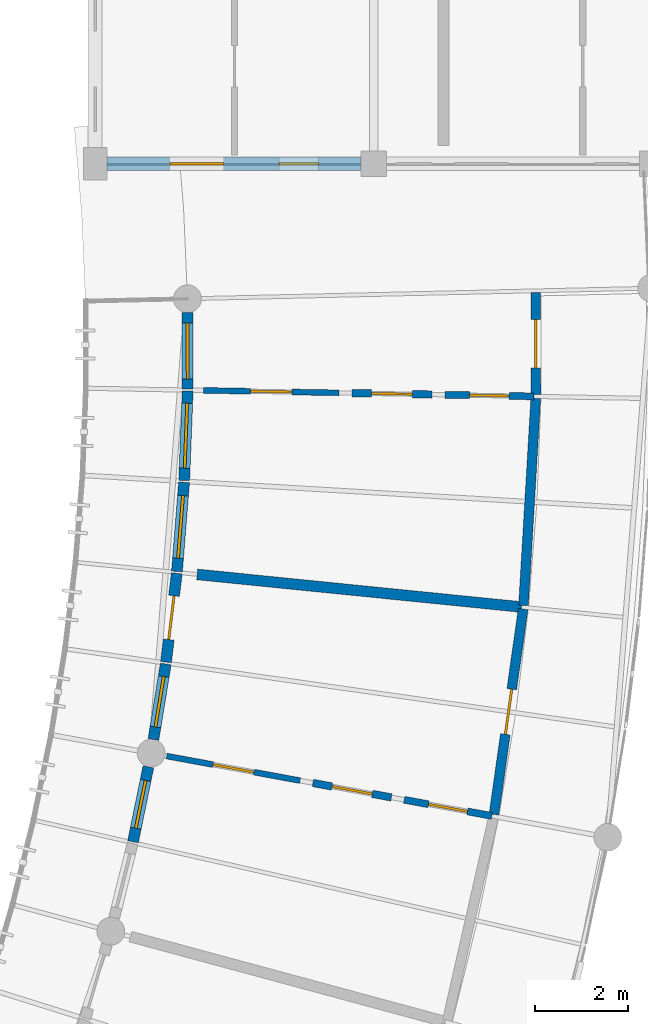
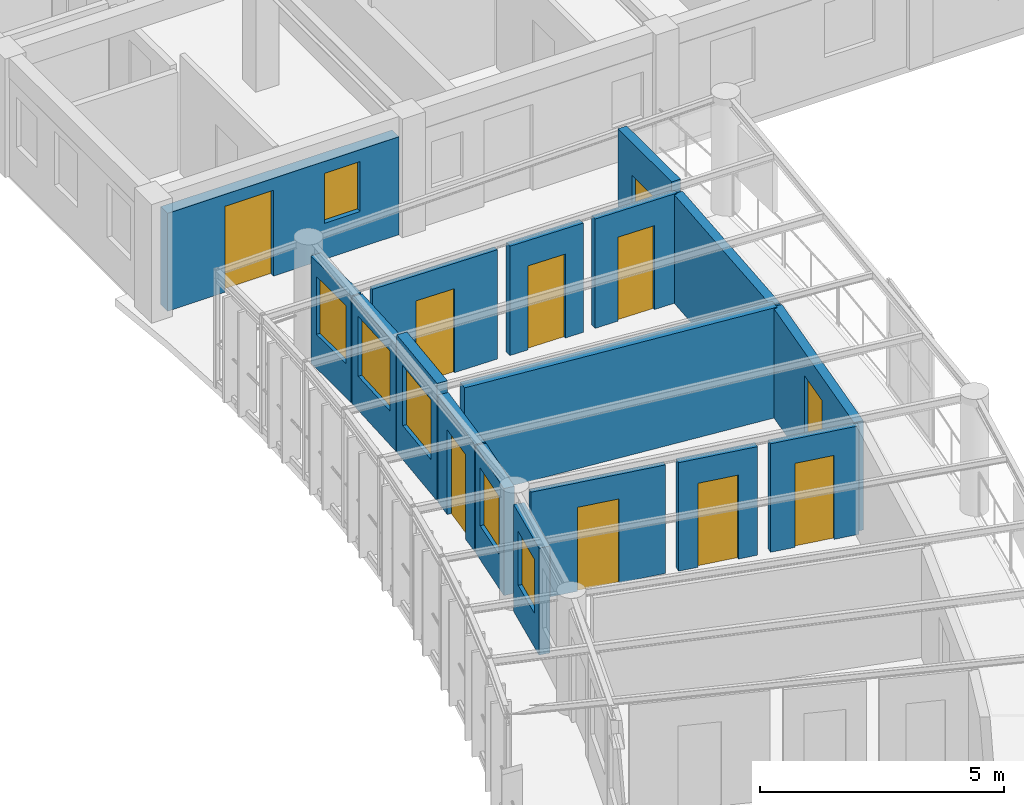
# One storey, part 67 of 101: 17 walls, 10 doors, 6 windows, 16 openings.
"""IFC4 building model written with IfcOpenShell, lengths in metres."""

from ifc_helpers import new_model, si_unit, direction, frame, frame_2d, origin, place, context, subcontext, project, spatial, rectangle, extrude, material, layer, layer_set, type_object, element, fill, save


model = new_model("IFC4")

# Units and contexts
model_context = context("Model", 3, precision=1e-05, world=origin(), true_north=direction((0.0, 1.0)))
body_context = subcontext(model_context, "Body", "Model", "MODEL_VIEW")
ifc_project = project(units=[si_unit("LENGTHUNIT", "METRE"), si_unit("AREAUNIT", "SQUARE_METRE"), si_unit("VOLUMEUNIT", "CUBIC_METRE"), si_unit("PLANEANGLEUNIT", "RADIAN"), si_unit("MASSUNIT", "GRAM", prefix="KILO"), si_unit("POWERUNIT", "WATT"), si_unit("THERMODYNAMICTEMPERATUREUNIT", "KELVIN")], contexts=[model_context])

# Site, building, storey
site_placement = place(None, origin())
site = spatial("IfcSite", under=ifc_project, at=site_placement, CompositionType="ELEMENT")
building_placement = place(site_placement, origin())
building = spatial("IfcBuilding", under=site, at=building_placement, Name="Ruvembo Vaulted Housing Court", CompositionType="ELEMENT")
storey_placement = place(building_placement, frame((0.0, 0.0, 17.300048828125)))
storey = spatial("IfcBuildingStorey", under=building, at=storey_placement, Name="L05", CompositionType="ELEMENT", Elevation=17.300048828125)

# Wall, opening, door
ifc_material_1 = material(Name="Concrete Blockwork 210", Category="masonry")
ifc_layer_1 = layer(ifc_material_1, 0.2099609375, Name="Concrete Blockwork 210")
ifc_layer_set_1 = layer_set([ifc_layer_1], Name="Concrete Blockwork 210")
wall_type_1 = type_object("IfcWallType", Name="WL-CORR-210", PredefinedType="SOLIDWALL", material=ifc_layer_set_1)
wall_1_placement = place(storey_placement, frame((56.587646484375, 63.98779296875, 0.0), z_axis=(0.0, 0.0, 1.0), x_axis=(0.140732688284, 0.990047630394, 0.0)))
wall_1 = element("IfcWall", 1, at=wall_1_placement, inside=storey, type_object=wall_type_1, Name="L05 Suite SC1-L05-U4 Entrance WL-INT-L05-01597", PredefinedType="SOLIDWALL", context=body_context, shape_type="SweptSolid", body=[
    extrude(rectangle(XDim=4.467041015625, YDim=0.2099609375, at=frame_2d((2.2333984375, 0.0))), origin(), (0.0, 0.0, 1.0), 2.73388671875),
])
opening_1_placement = place(wall_1_placement, frame((1.74365234375, 0.0, 0.0)))
opening_1 = element("IfcOpeningElement", 2, at=opening_1_placement, cuts=wall_1, Name="Opening FD2", PredefinedType="OPENING", context=body_context, shape_type="SweptSolid", body=[
    extrude(rectangle(XDim=0.97998046875, YDim=2.14990234375, at=frame_2d((0.489990234375, 1.074951171875))), frame((0.0, 0.114990234375, 0.0), z_axis=(0.0, -1.0, 0.0), x_axis=(1.0, 0.0, 0.0)), (0.0, 0.0, 1.0), 0.22998046875),
])
ifc_material_2 = material(Name="FSC Hardwood and Engineered Timber", Category="wood")
door_type_1 = type_object("IfcDoorType", Name="DR-FLAT-0980x2150", OperationType="NOTDEFINED", PredefinedType="DOOR", material=ifc_material_2)
door_1_placement = place(opening_1_placement, origin())
door_1 = element("IfcDoor", 3, at=door_1_placement, inside=storey, type_object=door_type_1, Name="L05 Suite SC1-L05-U4 Entrance Door DR-INT-L05-00895", OperationType="SINGLE_SWING_LEFT", OverallHeight=2.14990234375, OverallWidth=0.97998046875, PredefinedType="DOOR", context=body_context, shape_type="SweptSolid", body=[
    extrude(rectangle(XDim=0.97998046875, YDim=2.14990234375, at=frame_2d((0.489990234375, 1.074951171875))), frame((0.0, 0.02490234375, 0.0), z_axis=(0.0, -1.0, 0.0), x_axis=(1.0, 0.0, 0.0)), (0.0, 0.0, 1.0), 0.050048828125),
])
fill(opening_1, door_1)

# Wall
wall_2_placement = place(storey_placement, frame((57.22412109375, 68.489990234375, 0.0), z_axis=(0.0, 0.0, 1.0), x_axis=(0.059132085895, 0.998250167252, 0.0)))
element("IfcWall", 4, at=wall_2_placement, inside=storey, type_object=wall_type_1, Name="L05 Suite SC1-L05-U5 Gallery Wall WL-INT-L05-01602", PredefinedType="SOLIDWALL", context=body_context, shape_type="SweptSolid", body=[
    extrude(rectangle(XDim=4.46728515625, YDim=0.2099609375, at=frame_2d((2.233642578125, 0.0))), origin(), (0.0, 0.0, 1.0), 2.7138671875),
])

# Wall, opening, door
wall_3_placement = place(storey_placement, frame((57.49072265625, 73.029296875, 0.0), z_axis=(0.0, 0.0, 1.0), x_axis=(-0.0023367022, 0.999997269908, 0.0)))
wall_3 = element("IfcWall", 5, at=wall_3_placement, inside=storey, type_object=wall_type_1, Name="L05 Suite SC1-L05-U5 Entrance WL-INT-L05-01603", PredefinedType="SOLIDWALL", context=body_context, shape_type="SweptSolid", body=[
    extrude(rectangle(XDim=2.194091796875, YDim=0.2099609375, at=frame_2d((1.09716796875, 0.0))), origin(), (0.0, 0.0, 1.0), 2.96484375),
])
opening_2_placement = place(wall_3_placement, frame((0.572021484375, 0.0, 0.0)))
opening_2 = element("IfcOpeningElement", 6, at=opening_2_placement, cuts=wall_3, Name="Opening FD3", PredefinedType="OPENING", context=body_context, shape_type="SweptSolid", body=[
    extrude(rectangle(XDim=1.050048828125, YDim=2.14990234375, at=frame_2d((0.52490234375, 1.074951171875))), frame((0.0, 0.114990234375, 0.0), z_axis=(0.0, -1.0, 0.0), x_axis=(1.0, 0.0, 0.0)), (0.0, 0.0, 1.0), 0.22998046875),
])
door_type_2 = type_object("IfcDoorType", Name="DR-FLAT-1050x2150", OperationType="NOTDEFINED", PredefinedType="DOOR", material=ifc_material_2)
door_2_placement = place(opening_2_placement, origin())
door_2 = element("IfcDoor", 7, at=door_2_placement, inside=storey, type_object=door_type_2, Name="L05 Suite SC1-L05-U5 Entrance Door DR-INT-L05-00899", OperationType="SINGLE_SWING_LEFT", OverallHeight=2.14990234375, OverallWidth=1.050048828125, PredefinedType="DOOR", context=body_context, shape_type="SweptSolid", body=[
    extrude(rectangle(XDim=1.050048828125, YDim=2.14990234375, at=frame_2d((0.52490234375, 1.074951171875))), frame((0.0, 0.02490234375, 0.0), z_axis=(0.0, -1.0, 0.0), x_axis=(1.0, 0.0, 0.0)), (0.0, 0.0, 1.0), 0.050048828125),
])
fill(opening_2, door_2)

# Wall
ifc_material_3 = material(Name="Acoustic Masonry Demising 230", Category="masonry")
ifc_layer_2 = layer(ifc_material_3, 0.22998046875, Name="Acoustic Masonry Demising 230")
ifc_layer_set_2 = layer_set([ifc_layer_2], Name="Acoustic Masonry Demising 230")
wall_type_2 = type_object("IfcWallType", Name="WL-DEM-230", PredefinedType="SOLIDWALL", material=ifc_layer_set_2)
wall_4_placement = place(storey_placement, frame((50.197265625, 69.156005859375, 0.0), z_axis=(0.0, 0.0, 1.0), x_axis=(0.994988519083, -0.09998923389, 0.0)))
element("IfcWall", 8, at=wall_4_placement, inside=storey, type_object=wall_type_2, Name="L05 Suite SC1-L05-U4 Demising WL-INT-L05-01601", PredefinedType="SOLIDWALL", context=body_context, shape_type="SweptSolid", body=[
    extrude(rectangle(XDim=7.019775390625, YDim=0.22998046875, at=frame_2d((3.509765625, 0.0))), origin(), (0.0, 0.0, 1.0), 2.75390625),
])

# Wall, opening, window
ifc_material_4 = material(Name="Rendered Masonry 235", Category="masonry")
ifc_layer_3 = layer(ifc_material_4, 0.235107421875, Name="Rendered Masonry 235")
ifc_layer_set_3 = layer_set([ifc_layer_3], Name="Rendered Masonry 235")
wall_type_3 = type_object("IfcWallType", Name="WL-EXT-235", PredefinedType="STANDARD", material=ifc_layer_set_3)
wall_5_placement = place(storey_placement, frame((48.814453125, 63.3994140625, 0.0), z_axis=(0.0, 0.0, 1.0), x_axis=(0.201188555682, 0.97955253308, 0.0)))
wall_5 = element("IfcWall", 9, at=wall_5_placement, inside=storey, type_object=wall_type_3, Name="Scoop SC1 L05 Concave Balcony Wall 13", PredefinedType="STANDARD", context=body_context, shape_type="SweptSolid", body=[
    extrude(rectangle(XDim=1.646728515625, YDim=0.235107421875, at=frame_2d((0.8232421875, 0.0))), origin(), (0.0, 0.0, 1.0), 2.676025390625),
])
opening_3_placement = place(wall_5_placement, frame((0.29833984375, 0.0, 0.85009765625)))
opening_3 = element("IfcOpeningElement", 10, at=opening_3_placement, cuts=wall_5, Name="Opening W09", PredefinedType="OPENING", context=body_context, shape_type="SweptSolid", body=[
    extrude(rectangle(XDim=1.050048828125, YDim=1.35009765625, at=frame_2d((0.52490234375, 0.675048828125))), frame((0.0, 0.12744140625, 0.0), z_axis=(0.0, -1.0, 0.0), x_axis=(1.0, 0.0, 0.0)), (0.0, 0.0, 1.0), 0.255126953125),
])
ifc_material_5 = material(Name="Double Solar-Control Glazing in Aluminium Frame", Category="aluminium")
window_type_1 = type_object("IfcWindowType", Name="WIN-1050x1350", PartitioningType="SINGLE_PANEL", PredefinedType="WINDOW", material=ifc_material_5)
window_1_placement = place(opening_3_placement, origin())
window_1 = element("IfcWindow", 11, at=window_1_placement, inside=storey, type_object=window_type_1, Name="Scoop SC1 L05 Concave Window 13", OverallHeight=1.35009765625, OverallWidth=1.050048828125, PartitioningType="SINGLE_PANEL", PredefinedType="WINDOW", context=body_context, shape_type="SweptSolid", body=[
    extrude(rectangle(XDim=1.050048828125, YDim=1.35009765625, at=frame_2d((0.52490234375, 0.675048828125))), frame((0.0, 0.030029296875, 0.0), z_axis=(0.0, -1.0, 0.0), x_axis=(1.0, 0.0, 0.0)), (0.0, 0.0, 1.0), 0.06005859375),
])
fill(opening_3, window_1)

wall_6_placement = place(storey_placement, frame((49.25439453125, 65.6025390625, 0.0), z_axis=(0.0, 0.0, 1.0), x_axis=(0.161008118798, 0.986953081803, 0.0)))
wall_6 = element("IfcWall", 12, at=wall_6_placement, inside=storey, type_object=wall_type_3, Name="Scoop SC1 L05 Concave Balcony Wall 14", PredefinedType="STANDARD", context=body_context, shape_type="SweptSolid", body=[
    extrude(rectangle(XDim=1.646728515625, YDim=0.235107421875, at=frame_2d((0.8232421875, 0.0))), origin(), (0.0, 0.0, 1.0), 2.676025390625),
])
opening_4_placement = place(wall_6_placement, frame((0.2734375, 0.0, 0.85009765625)))
opening_4 = element("IfcOpeningElement", 13, at=opening_4_placement, cuts=wall_6, Name="Opening W10", PredefinedType="OPENING", context=body_context, shape_type="SweptSolid", body=[
    extrude(rectangle(XDim=1.10009765625, YDim=1.449951171875, at=frame_2d((0.550048828125, 0.72509765625))), frame((0.0, 0.12744140625, 0.0), z_axis=(0.0, -1.0, 0.0), x_axis=(1.0, 0.0, 0.0)), (0.0, 0.0, 1.0), 0.255126953125),
])
window_type_2 = type_object("IfcWindowType", Name="WIN-1100x1450", PartitioningType="SINGLE_PANEL", PredefinedType="WINDOW", material=ifc_material_5)
window_2_placement = place(opening_4_placement, origin())
window_2 = element("IfcWindow", 14, at=window_2_placement, inside=storey, type_object=window_type_2, Name="Scoop SC1 L05 Concave Window 14", OverallHeight=1.449951171875, OverallWidth=1.10009765625, PartitioningType="SINGLE_PANEL", PredefinedType="WINDOW", context=body_context, shape_type="SweptSolid", body=[
    extrude(rectangle(XDim=1.10009765625, YDim=1.449951171875, at=frame_2d((0.550048828125, 0.72509765625))), frame((0.0, 0.030029296875, 0.0), z_axis=(0.0, -1.0, 0.0), x_axis=(1.0, 0.0, 0.0)), (0.0, 0.0, 1.0), 0.06005859375),
])
fill(opening_4, window_2)

# Wall, opening, door
wall_7_placement = place(storey_placement, frame((49.525146484375, 67.267578125, 0.0), z_axis=(0.0, 0.0, 1.0), x_axis=(0.120384349076, 0.992727358592, 0.0)))
wall_7 = element("IfcWall", 15, at=wall_7_placement, inside=storey, type_object=wall_type_3, Name="Scoop SC1 L05 Concave Balcony Wall 15", PredefinedType="STANDARD", context=body_context, shape_type="SweptSolid", body=[
    extrude(rectangle(XDim=1.926513671875, YDim=0.235107421875, at=frame_2d((0.96337890625, 0.0))), origin(), (0.0, 0.0, 1.0), 2.676025390625),
])
opening_5_placement = place(wall_7_placement, frame((0.48828125, 0.0, 0.0)))
opening_5 = element("IfcOpeningElement", 16, at=opening_5_placement, cuts=wall_7, Name="Opening BD0", PredefinedType="OPENING", context=body_context, shape_type="SweptSolid", body=[
    extrude(rectangle(XDim=0.949951171875, YDim=2.1201171875, at=frame_2d((0.47509765625, 1.06005859375))), frame((0.0, 0.12744140625, 0.0), z_axis=(0.0, -1.0, 0.0), x_axis=(1.0, 0.0, 0.0)), (0.0, 0.0, 1.0), 0.255126953125),
])
ifc_material_6 = material(Name="Thermally Broken Glazed Aluminium", Category="aluminium")
door_type_3 = type_object("IfcDoorType", Name="DR-BAL-0950x2120", OperationType="NOTDEFINED", PredefinedType="DOOR", material=ifc_material_6)
door_3_placement = place(opening_5_placement, origin())
door_3 = element("IfcDoor", 17, at=door_3_placement, inside=storey, type_object=door_type_3, Name="Scoop SC1 L05 Balcony Door 15", OperationType="SINGLE_SWING_LEFT", OverallHeight=2.1201171875, OverallWidth=0.949951171875, PredefinedType="DOOR", context=body_context, shape_type="SweptSolid", body=[
    extrude(rectangle(XDim=0.949951171875, YDim=2.1201171875, at=frame_2d((0.47509765625, 1.06005859375))), frame((0.0, 0.02490234375, 0.0), z_axis=(0.0, -1.0, 0.0), x_axis=(1.0, 0.0, 0.0)), (0.0, 0.0, 1.0), 0.050048828125),
])
fill(opening_5, door_3)

# Wall, opening, window
wall_8_placement = place(storey_placement, frame((49.760986328125, 69.219970703125, 0.0), z_axis=(0.0, 0.0, 1.0), x_axis=(0.079573991137, 0.996828962227, 0.0)))
wall_8 = element("IfcWall", 18, at=wall_8_placement, inside=storey, type_object=wall_type_3, Name="Scoop SC1 L05 Concave Balcony Wall 16", PredefinedType="STANDARD", context=body_context, shape_type="SweptSolid", body=[
    extrude(rectangle(XDim=1.9267578125, YDim=0.235107421875, at=frame_2d((0.96337890625, 0.0))), origin(), (0.0, 0.0, 1.0), 2.93994140625),
])
opening_6_placement = place(wall_8_placement, frame((0.28857421875, 0.0, 0.85009765625)))
opening_6 = element("IfcOpeningElement", 19, at=opening_6_placement, cuts=wall_8, Name="Opening W16", PredefinedType="OPENING", context=body_context, shape_type="SweptSolid", body=[
    extrude(rectangle(XDim=1.35009765625, YDim=1.5, at=frame_2d((0.675048828125, 0.75))), frame((0.0, 0.12744140625, 0.0), z_axis=(0.0, -1.0, 0.0), x_axis=(1.0, 0.0, 0.0)), (0.0, 0.0, 1.0), 0.255126953125),
])
window_type_3 = type_object("IfcWindowType", Name="WIN-1350x1500", PartitioningType="SINGLE_PANEL", PredefinedType="WINDOW", material=ifc_material_5)
window_3_placement = place(opening_6_placement, origin())
window_3 = element("IfcWindow", 20, at=window_3_placement, inside=storey, type_object=window_type_3, Name="Scoop SC1 L05 Concave Window 16", OverallHeight=1.5, OverallWidth=1.35009765625, PartitioningType="SINGLE_PANEL", PredefinedType="WINDOW", context=body_context, shape_type="SweptSolid", body=[
    extrude(rectangle(XDim=1.35009765625, YDim=1.5, at=frame_2d((0.675048828125, 0.75))), frame((0.0, 0.030029296875, 0.0), z_axis=(0.0, -1.0, 0.0), x_axis=(1.0, 0.0, 0.0)), (0.0, 0.0, 1.0), 0.06005859375),
])
fill(opening_6, window_3)

wall_9_placement = place(storey_placement, frame((49.916748046875, 71.1806640625, 0.0), z_axis=(0.0, 0.0, 1.0), x_axis=(0.038647240614, 0.999252916329, 0.0)))
wall_9 = element("IfcWall", 21, at=wall_9_placement, inside=storey, type_object=wall_type_3, Name="Scoop SC1 L05 Concave Balcony Wall 17", PredefinedType="STANDARD", context=body_context, shape_type="SweptSolid", body=[
    extrude(rectangle(XDim=1.9267578125, YDim=0.235107421875, at=frame_2d((0.96337890625, 0.0))), origin(), (0.0, 0.0, 1.0), 2.676025390625),
])
opening_7_placement = place(wall_9_placement, frame((0.263427734375, 0.0, 0.85009765625)))
opening_7 = element("IfcOpeningElement", 22, at=opening_7_placement, cuts=wall_9, Name="Opening W17", PredefinedType="OPENING", context=body_context, shape_type="SweptSolid", body=[
    extrude(rectangle(XDim=1.39990234375, YDim=1.5, at=frame_2d((0.699951171875, 0.75))), frame((0.0, 0.12744140625, 0.0), z_axis=(0.0, -1.0, 0.0), x_axis=(1.0, 0.0, 0.0)), (0.0, 0.0, 1.0), 0.255126953125),
])
window_type_4 = type_object("IfcWindowType", Name="WIN-1400x1500", PartitioningType="SINGLE_PANEL", PredefinedType="WINDOW", material=ifc_material_5)
window_4_placement = place(opening_7_placement, origin())
window_4 = element("IfcWindow", 23, at=window_4_placement, inside=storey, type_object=window_type_4, Name="Scoop SC1 L05 Concave Window 17", OverallHeight=1.5, OverallWidth=1.39990234375, PartitioningType="SINGLE_PANEL", PredefinedType="WINDOW", context=body_context, shape_type="SweptSolid", body=[
    extrude(rectangle(XDim=1.39990234375, YDim=1.5, at=frame_2d((0.699951171875, 0.75))), frame((0.0, 0.030029296875, 0.0), z_axis=(0.0, -1.0, 0.0), x_axis=(1.0, 0.0, 0.0)), (0.0, 0.0, 1.0), 0.06005859375),
])
fill(opening_7, window_4)

wall_10_placement = place(storey_placement, frame((49.991943359375, 73.14599609375, 0.0), z_axis=(0.0, 0.0, 1.0), x_axis=(-0.002224193787, 0.999997526478, 0.0)))
wall_10 = element("IfcWall", 24, at=wall_10_placement, inside=storey, type_object=wall_type_3, Name="Scoop SC1 L05 Concave Balcony Wall 18", PredefinedType="STANDARD", context=body_context, shape_type="SweptSolid", body=[
    extrude(rectangle(XDim=1.646484375, YDim=0.235107421875, at=frame_2d((0.8232421875, 0.0))), origin(), (0.0, 0.0, 1.0), 2.676025390625),
])
opening_8_placement = place(wall_10_placement, frame((0.223388671875, 0.0, 0.85009765625)))
opening_8 = element("IfcOpeningElement", 25, at=opening_8_placement, cuts=wall_10, Name="Opening W13", PredefinedType="OPENING", context=body_context, shape_type="SweptSolid", body=[
    extrude(rectangle(XDim=1.199951171875, YDim=1.449951171875, at=frame_2d((0.60009765625, 0.72509765625))), frame((0.0, 0.12744140625, 0.0), z_axis=(0.0, -1.0, 0.0), x_axis=(1.0, 0.0, 0.0)), (0.0, 0.0, 1.0), 0.255126953125),
])
window_type_5 = type_object("IfcWindowType", Name="WIN-1200x1450", PartitioningType="SINGLE_PANEL", PredefinedType="WINDOW", material=ifc_material_5)
window_5_placement = place(opening_8_placement, origin())
window_5 = element("IfcWindow", 26, at=window_5_placement, inside=storey, type_object=window_type_5, Name="Scoop SC1 L05 Concave Window 18", OverallHeight=1.449951171875, OverallWidth=1.199951171875, PartitioningType="SINGLE_PANEL", PredefinedType="WINDOW", context=body_context, shape_type="SweptSolid", body=[
    extrude(rectangle(XDim=1.199951171875, YDim=1.449951171875, at=frame_2d((0.60009765625, 0.72509765625))), frame((0.0, 0.030029296875, 0.0), z_axis=(0.0, -1.0, 0.0), x_axis=(1.0, 0.0, 0.0)), (0.0, 0.0, 1.0), 0.06005859375),
])
fill(opening_8, window_5)

# Wall, openings, door, window
ifc_material_7 = material(Name="Rendered Masonry 285", Category="masonry")
ifc_layer_4 = layer(ifc_material_7, 0.284912109375, Name="Rendered Masonry 285")
ifc_layer_set_4 = layer_set([ifc_layer_4], Name="Rendered Masonry 285")
wall_type_4 = type_object("IfcWallType", Name="WL-EXT-285", PredefinedType="STANDARD", material=ifc_layer_set_4)
wall_11_placement = place(storey_placement, frame((48.25, 78.0, 0.0), z_axis=(0.0, 0.0, 1.0), x_axis=(1.0, 0.0, 0.0)))
wall_11 = element("IfcWall", 27, at=wall_11_placement, inside=storey, type_object=wall_type_4, Name="Block B L05 Exterior Wall COURTYARD #1", PredefinedType="STANDARD", context=body_context, shape_type="SweptSolid", body=[
    extrude(rectangle(XDim=5.47509765625, YDim=0.284912109375, at=frame_2d((2.737548828125, 0.0))), origin(), (0.0, 0.0, 1.0), 2.447021484375),
])
opening_9_placement = place(wall_11_placement, frame((1.360107421875, 0.0, 0.0)))
opening_9 = element("IfcOpeningElement", 28, at=opening_9_placement, cuts=wall_11, Name="Opening GD1", PredefinedType="OPENING", context=body_context, shape_type="SweptSolid", body=[
    extrude(rectangle(XDim=1.14990234375, YDim=2.14990234375, at=frame_2d((0.574951171875, 1.074951171875))), frame((0.0, 0.15234375, 0.0), z_axis=(0.0, -1.0, 0.0), x_axis=(1.0, 0.0, 0.0)), (0.0, 0.0, 1.0), 0.304931640625),
])
opening_10_placement = place(wall_11_placement, frame((3.70751953125, 0.0, 0.89990234375)))
opening_10 = element("IfcOpeningElement", 29, at=opening_10_placement, cuts=wall_11, Name="Opening W03", PredefinedType="OPENING", context=body_context, shape_type="SweptSolid", body=[
    extrude(rectangle(XDim=0.85009765625, YDim=1.25, at=frame_2d((0.425048828125, 0.625))), frame((0.0, 0.15234375, 0.0), z_axis=(0.0, -1.0, 0.0), x_axis=(1.0, 0.0, 0.0)), (0.0, 0.0, 1.0), 0.304931640625),
])
door_type_4 = type_object("IfcDoorType", Name="DR-GAL-1150x2150", OperationType="NOTDEFINED", PredefinedType="DOOR", material=ifc_material_6)
door_4_placement = place(opening_9_placement, frame((1.14990234375, 0.0, 0.0), z_axis=(0.0, 0.0, 1.0), x_axis=(-1.0, 0.0, 0.0)))
door_4 = element("IfcDoor", 30, at=door_4_placement, inside=storey, type_object=door_type_4, Name="Block B L05 Terrace or Gallery Door DR-TER-B-L05-043", OperationType="SINGLE_SWING_RIGHT", OverallHeight=2.14990234375, OverallWidth=1.14990234375, PredefinedType="DOOR", context=body_context, shape_type="SweptSolid", body=[
    extrude(rectangle(XDim=1.14990234375, YDim=2.14990234375, at=frame_2d((0.574951171875, 1.074951171875))), frame((0.0, 0.02490234375, 0.0), z_axis=(0.0, -1.0, 0.0), x_axis=(1.0, 0.0, 0.0)), (0.0, 0.0, 1.0), 0.050048828125),
])
fill(opening_9, door_4)
window_type_6 = type_object("IfcWindowType", Name="WIN-0850x1250", PartitioningType="SINGLE_PANEL", PredefinedType="WINDOW", material=ifc_material_5)
window_6_placement = place(opening_10_placement, origin())
window_6 = element("IfcWindow", 31, at=window_6_placement, inside=storey, type_object=window_type_6, Name="Block B L05 Window #811", OverallHeight=1.25, OverallWidth=0.85009765625, PartitioningType="SINGLE_PANEL", PredefinedType="WINDOW", context=body_context, shape_type="SweptSolid", body=[
    extrude(rectangle(XDim=0.85009765625, YDim=1.25, at=frame_2d((0.425048828125, 0.625))), frame((0.0, 0.030029296875, 0.0), z_axis=(0.0, -1.0, 0.0), x_axis=(1.0, 0.0, 0.0)), (0.0, 0.0, 1.0), 0.06005859375),
])
fill(opening_10, window_6)

# Wall, opening, door
ifc_material_8 = material(Name="Plasterboard Stud Partition 125", Category="gypsum")
ifc_layer_5 = layer(ifc_material_8, 0.125, Name="Plasterboard Stud Partition 125")
ifc_layer_set_5 = layer_set([ifc_layer_5], Name="Plasterboard Stud Partition 125")
wall_type_5 = type_object("IfcWallType", Name="WL-PART-125", PredefinedType="PARTITIONING", material=ifc_layer_set_5)
wall_12_placement = place(storey_placement, frame((49.54052734375, 65.244873046875, 0.0), z_axis=(0.0, 0.0, 1.0), x_axis=(0.983451228591, -0.181173069145, 0.0)))
wall_12 = element("IfcWall", 32, at=wall_12_placement, inside=storey, type_object=wall_type_5, Name="L05 Suite SC1-L05-U4 Bedroom WL-INT-L05-01598", PredefinedType="PARTITIONING", context=body_context, shape_type="SweptSolid", body=[
    extrude(rectangle(XDim=2.920166015625, YDim=0.125, at=frame_2d((1.4599609375, 0.0))), origin(), (0.0, 0.0, 1.0), 2.7138671875),
])
opening_11_placement = place(wall_12_placement, frame((1.010009765625, 0.0, 0.0)))
opening_11 = element("IfcOpeningElement", 33, at=opening_11_placement, cuts=wall_12, Name="Opening ID1", PredefinedType="OPENING", context=body_context, shape_type="SweptSolid", body=[
    extrude(rectangle(XDim=0.89990234375, YDim=2.10009765625, at=frame_2d((0.449951171875, 1.050048828125))), frame((0.0, 0.072509765625, 0.0), z_axis=(0.0, -1.0, 0.0), x_axis=(1.0, 0.0, 0.0)), (0.0, 0.0, 1.0), 0.14501953125),
])
door_type_5 = type_object("IfcDoorType", Name="DR-ROOM-0900x2100", OperationType="NOTDEFINED", PredefinedType="DOOR", material=ifc_material_2)
door_5_placement = place(opening_11_placement, origin())
door_5 = element("IfcDoor", 34, at=door_5_placement, inside=storey, type_object=door_type_5, Name="L05 Suite SC1-L05-U4 Bedroom Door DR-INT-L05-00896", OperationType="SINGLE_SWING_RIGHT", OverallHeight=2.10009765625, OverallWidth=0.89990234375, PredefinedType="DOOR", context=body_context, shape_type="SweptSolid", body=[
    extrude(rectangle(XDim=0.89990234375, YDim=2.10009765625, at=frame_2d((0.449951171875, 1.050048828125))), frame((0.0, 0.02490234375, 0.0), z_axis=(0.0, -1.0, 0.0), x_axis=(1.0, 0.0, 0.0)), (0.0, 0.0, 1.0), 0.050048828125),
])
fill(opening_11, door_5)

wall_13_placement = place(storey_placement, frame((50.33203125, 73.11962890625, 0.0), z_axis=(0.0, 0.0, 1.0), x_axis=(0.999833866331, -0.018227444628, 0.0)))
wall_13 = element("IfcWall", 35, at=wall_13_placement, inside=storey, type_object=wall_type_5, Name="L05 Suite SC1-L05-U5 Bedroom WL-INT-L05-01604", PredefinedType="PARTITIONING", context=body_context, shape_type="SweptSolid", body=[
    extrude(rectangle(XDim=2.919921875, YDim=0.125, at=frame_2d((1.4599609375, 0.0))), origin(), (0.0, 0.0, 1.0), 2.73388671875),
])
opening_12_placement = place(wall_13_placement, frame((1.010009765625, 0.0, 0.0)))
opening_12 = element("IfcOpeningElement", 36, at=opening_12_placement, cuts=wall_13, Name="Opening ID1", PredefinedType="OPENING", context=body_context, shape_type="SweptSolid", body=[
    extrude(rectangle(XDim=0.89990234375, YDim=2.10009765625, at=frame_2d((0.449951171875, 1.050048828125))), frame((0.0, 0.072509765625, 0.0), z_axis=(0.0, -1.0, 0.0), x_axis=(1.0, 0.0, 0.0)), (0.0, 0.0, 1.0), 0.14501953125),
])
door_6_placement = place(opening_12_placement, origin())
door_6 = element("IfcDoor", 37, at=door_6_placement, inside=storey, type_object=door_type_5, Name="L05 Suite SC1-L05-U5 Bedroom Door DR-INT-L05-00900", OperationType="SINGLE_SWING_RIGHT", OverallHeight=2.10009765625, OverallWidth=0.89990234375, PredefinedType="DOOR", context=body_context, shape_type="SweptSolid", body=[
    extrude(rectangle(XDim=0.89990234375, YDim=2.10009765625, at=frame_2d((0.449951171875, 1.050048828125))), frame((0.0, 0.02490234375, 0.0), z_axis=(0.0, -1.0, 0.0), x_axis=(1.0, 0.0, 0.0)), (0.0, 0.0, 1.0), 0.050048828125),
])
fill(opening_12, door_6)

ifc_material_9 = material(Name="Moisture-Resistant Wet Partition 150", Category="gypsum")
ifc_layer_6 = layer(ifc_material_9, 0.14990234375, Name="Moisture-Resistant Wet Partition 150")
ifc_layer_set_6 = layer_set([ifc_layer_6], Name="Moisture-Resistant Wet Partition 150")
wall_type_6 = type_object("IfcWallType", Name="WL-PART-150", PredefinedType="PARTITIONING", material=ifc_layer_set_6)
wall_14_placement = place(storey_placement, frame((54.654541015625, 64.302978515625, 0.0), z_axis=(0.0, 0.0, 1.0), x_axis=(0.983468686283, -0.181078278933, 0.0)))
wall_14 = element("IfcWall", 38, at=wall_14_placement, inside=storey, type_object=wall_type_6, Name="L05 Suite SC1-L05-U4 Bathroom WL-INT-L05-01600", PredefinedType="PARTITIONING", context=body_context, shape_type="SweptSolid", body=[
    extrude(rectangle(XDim=1.919921875, YDim=0.14990234375, at=frame_2d((0.9599609375, 0.0))), origin(), (0.0, 0.0, 1.0), 2.7138671875),
])
opening_13_placement = place(wall_14_placement, frame((0.534912109375, 0.0, 0.0)))
opening_13 = element("IfcOpeningElement", 39, at=opening_13_placement, cuts=wall_14, Name="Opening ID2", PredefinedType="OPENING", context=body_context, shape_type="SweptSolid", body=[
    extrude(rectangle(XDim=0.85009765625, YDim=2.10009765625, at=frame_2d((0.425048828125, 1.050048828125))), frame((0.0, 0.0849609375, 0.0), z_axis=(0.0, -1.0, 0.0), x_axis=(1.0, 0.0, 0.0)), (0.0, 0.0, 1.0), 0.169921875),
])
door_type_6 = type_object("IfcDoorType", Name="DR-WET-0850x2100", OperationType="NOTDEFINED", PredefinedType="DOOR", material=ifc_material_2)
door_7_placement = place(opening_13_placement, origin())
door_7 = element("IfcDoor", 40, at=door_7_placement, inside=storey, type_object=door_type_6, Name="L05 Suite SC1-L05-U4 Bathroom Door DR-INT-L05-00898", OperationType="SINGLE_SWING_RIGHT", OverallHeight=2.10009765625, OverallWidth=0.85009765625, PredefinedType="DOOR", context=body_context, shape_type="SweptSolid", body=[
    extrude(rectangle(XDim=0.85009765625, YDim=2.10009765625, at=frame_2d((0.425048828125, 1.050048828125))), frame((0.0, 0.02490234375, 0.0), z_axis=(0.0, -1.0, 0.0), x_axis=(1.0, 0.0, 0.0)), (0.0, 0.0, 1.0), 0.050048828125),
])
fill(opening_13, door_7)

wall_15_placement = place(storey_placement, frame((55.531005859375, 73.02490234375, 0.0), z_axis=(0.0, 0.0, 1.0), x_axis=(0.99983466766, -0.018183436026, 0.0)))
wall_15 = element("IfcWall", 41, at=wall_15_placement, inside=storey, type_object=wall_type_6, Name="L05 Suite SC1-L05-U5 Bathroom WL-INT-L05-01606", PredefinedType="PARTITIONING", context=body_context, shape_type="SweptSolid", body=[
    extrude(rectangle(XDim=1.919921875, YDim=0.14990234375, at=frame_2d((0.9599609375, 0.0))), origin(), (0.0, 0.0, 1.0), 2.73388671875),
])
opening_14_placement = place(wall_15_placement, frame((0.534912109375, 0.0, 0.0)))
opening_14 = element("IfcOpeningElement", 42, at=opening_14_placement, cuts=wall_15, Name="Opening ID2", PredefinedType="OPENING", context=body_context, shape_type="SweptSolid", body=[
    extrude(rectangle(XDim=0.85009765625, YDim=2.10009765625, at=frame_2d((0.425048828125, 1.050048828125))), frame((0.0, 0.0849609375, 0.0), z_axis=(0.0, -1.0, 0.0), x_axis=(1.0, 0.0, 0.0)), (0.0, 0.0, 1.0), 0.169921875),
])
door_8_placement = place(opening_14_placement, origin())
door_8 = element("IfcDoor", 43, at=door_8_placement, inside=storey, type_object=door_type_6, Name="L05 Suite SC1-L05-U5 Bathroom Door DR-INT-L05-00902", OperationType="SINGLE_SWING_RIGHT", OverallHeight=2.10009765625, OverallWidth=0.85009765625, PredefinedType="DOOR", context=body_context, shape_type="SweptSolid", body=[
    extrude(rectangle(XDim=0.85009765625, YDim=2.10009765625, at=frame_2d((0.425048828125, 1.050048828125))), frame((0.0, 0.02490234375, 0.0), z_axis=(0.0, -1.0, 0.0), x_axis=(1.0, 0.0, 0.0)), (0.0, 0.0, 1.0), 0.050048828125),
])
fill(opening_14, door_8)

ifc_material_10 = material(Name="Acoustic Service Chase Wall 160", Category="gypsum")
ifc_layer_7 = layer(ifc_material_10, 0.159912109375, Name="Acoustic Service Chase Wall 160")
ifc_layer_set_7 = layer_set([ifc_layer_7], Name="Acoustic Service Chase Wall 160")
wall_type_7 = type_object("IfcWallType", Name="WL-PLUMB-160", PredefinedType="PLUMBINGWALL", material=ifc_layer_set_7)
wall_16_placement = place(storey_placement, frame((52.6875, 64.665283203125, 0.0), z_axis=(0.0, 0.0, 1.0), x_axis=(0.983463169084, -0.181108241269, 0.0)))
wall_16 = element("IfcWall", 44, at=wall_16_placement, inside=storey, type_object=wall_type_7, Name="L05 Suite SC1-L05-U4 Kitchen WL-INT-L05-01599", PredefinedType="PLUMBINGWALL", context=body_context, shape_type="SweptSolid", body=[
    extrude(rectangle(XDim=1.72021484375, YDim=0.159912109375, at=frame_2d((0.860107421875, 0.0))), origin(), (0.0, 0.0, 1.0), 2.7138671875),
])
opening_15_placement = place(wall_16_placement, frame((0.419921875, 0.0, 0.0)))
opening_15 = element("IfcOpeningElement", 45, at=opening_15_placement, cuts=wall_16, Name="Opening ID3", PredefinedType="OPENING", context=body_context, shape_type="SweptSolid", body=[
    extrude(rectangle(XDim=0.8798828125, YDim=2.10009765625, at=frame_2d((0.43994140625, 1.050048828125))), frame((0.0, 0.08984375, 0.0), z_axis=(0.0, -1.0, 0.0), x_axis=(1.0, 0.0, 0.0)), (0.0, 0.0, 1.0), 0.179931640625),
])
door_type_7 = type_object("IfcDoorType", Name="DR-ROOM-0880x2100", OperationType="NOTDEFINED", PredefinedType="DOOR", material=ifc_material_2)
door_9_placement = place(opening_15_placement, origin())
door_9 = element("IfcDoor", 46, at=door_9_placement, inside=storey, type_object=door_type_7, Name="L05 Suite SC1-L05-U4 Kitchen Door DR-INT-L05-00897", OperationType="SINGLE_SWING_LEFT", OverallHeight=2.10009765625, OverallWidth=0.8798828125, PredefinedType="DOOR", context=body_context, shape_type="SweptSolid", body=[
    extrude(rectangle(XDim=0.8798828125, YDim=2.10009765625, at=frame_2d((0.43994140625, 1.050048828125))), frame((0.0, 0.02490234375, 0.0), z_axis=(0.0, -1.0, 0.0), x_axis=(1.0, 0.0, 0.0)), (0.0, 0.0, 1.0), 0.050048828125),
])
fill(opening_15, door_9)

wall_17_placement = place(storey_placement, frame((53.531494140625, 73.0615234375, 0.0), z_axis=(0.0, 0.0, 1.0), x_axis=(0.999832350792, -0.018310388026, 0.0)))
wall_17 = element("IfcWall", 47, at=wall_17_placement, inside=storey, type_object=wall_type_7, Name="L05 Suite SC1-L05-U5 Kitchen WL-INT-L05-01605", PredefinedType="PLUMBINGWALL", context=body_context, shape_type="SweptSolid", body=[
    extrude(rectangle(XDim=1.719970703125, YDim=0.159912109375, at=frame_2d((0.85986328125, 0.0))), origin(), (0.0, 0.0, 1.0), 2.73388671875),
])
opening_16_placement = place(wall_17_placement, frame((0.419921875, 0.0, 0.0)))
opening_16 = element("IfcOpeningElement", 48, at=opening_16_placement, cuts=wall_17, Name="Opening ID3", PredefinedType="OPENING", context=body_context, shape_type="SweptSolid", body=[
    extrude(rectangle(XDim=0.8798828125, YDim=2.10009765625, at=frame_2d((0.43994140625, 1.050048828125))), frame((0.0, 0.08984375, 0.0), z_axis=(0.0, -1.0, 0.0), x_axis=(1.0, 0.0, 0.0)), (0.0, 0.0, 1.0), 0.179931640625),
])
door_10_placement = place(opening_16_placement, origin())
door_10 = element("IfcDoor", 49, at=door_10_placement, inside=storey, type_object=door_type_7, Name="L05 Suite SC1-L05-U5 Kitchen Door DR-INT-L05-00901", OperationType="SINGLE_SWING_LEFT", OverallHeight=2.10009765625, OverallWidth=0.8798828125, PredefinedType="DOOR", context=body_context, shape_type="SweptSolid", body=[
    extrude(rectangle(XDim=0.8798828125, YDim=2.10009765625, at=frame_2d((0.43994140625, 1.050048828125))), frame((0.0, 0.02490234375, 0.0), z_axis=(0.0, -1.0, 0.0), x_axis=(1.0, 0.0, 0.0)), (0.0, 0.0, 1.0), 0.050048828125),
])
fill(opening_16, door_10)

save(model, "model.ifc")
